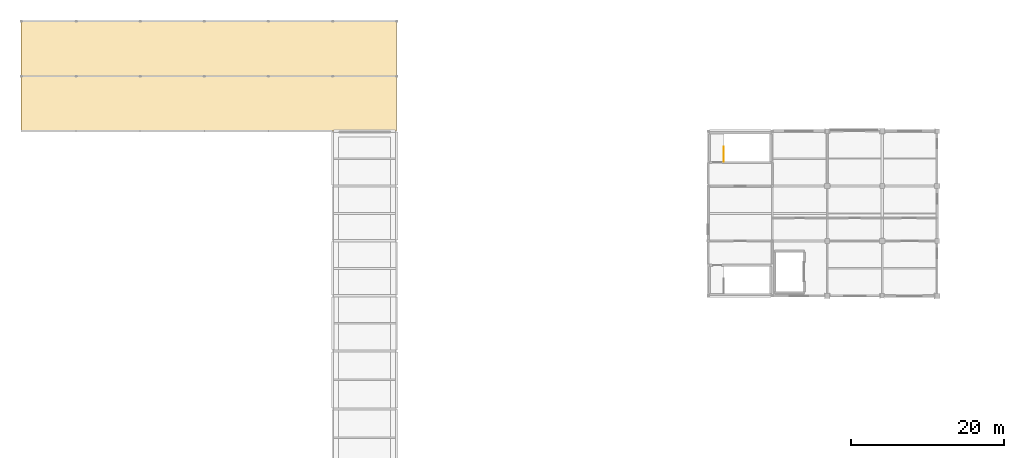
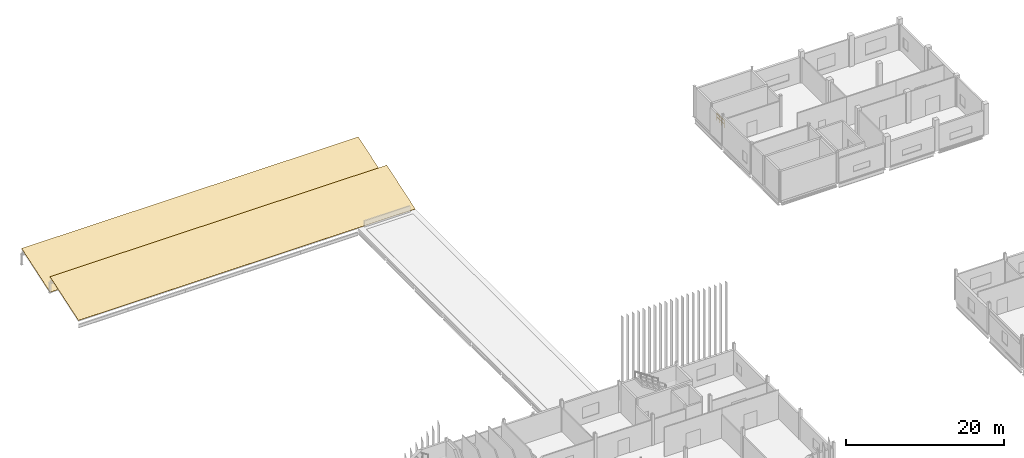
# One storey, part 70 of 72: 2 coverings, 1 railing, 2 elements without a shape of their own.
"""IFC4 building model written with IfcOpenShell, lengths in metres."""

from ifc_helpers import new_model, si_unit, direction, frame, origin, origin_2d, place, context, subcontext, project, spatial, polyline, circle, outline, extrude, material, layer, layer_set, type_object, element, aggregate, save


model = new_model("IFC4")

# Units and contexts
model_context = context("Model", 3, precision=1e-05, world=origin(), true_north=direction((0.0, 1.0)))
body_context = subcontext(model_context, "Body", "Model", "MODEL_VIEW")
ifc_project = project(units=[si_unit("LENGTHUNIT", "METRE"), si_unit("AREAUNIT", "SQUARE_METRE"), si_unit("VOLUMEUNIT", "CUBIC_METRE"), si_unit("PLANEANGLEUNIT", "RADIAN"), si_unit("MASSUNIT", "GRAM", prefix="KILO")], contexts=[model_context])

# Site, building, storey
site_placement = place(None, origin())
site = spatial("IfcSite", under=ifc_project, at=site_placement, CompositionType="ELEMENT")
building_placement = place(site_placement, origin())
building = spatial("IfcBuilding", under=site, at=building_placement, Name="Calvrana Isthmian Art Gallery", CompositionType="ELEMENT")
storey_placement = place(building_placement, frame((0.0, 0.0, 15.0)))
storey = spatial("IfcBuildingStorey", under=building, at=storey_placement, Name="L03", CompositionType="ELEMENT", Elevation=15.0)

# Roof, covering
ifc_material_1 = material(Name="Standing-seam zinc-aluminium roofing", Category="aluminium")
ifc_layer_1 = layer(ifc_material_1, 0.199951171875, Name="Standing-seam zinc-aluminium roofing")
ifc_layer_set_1 = layer_set([ifc_layer_1], Name="Standing-seam zinc-aluminium roofing")
roof_type = type_object("IfcRoofType", Name="ROOF-ASM-GABLE", PredefinedType="GABLE_ROOF", material=ifc_layer_set_1)
roof_1_placement = place(storey_placement, origin())
roof_1 = element("IfcRoof", 1, at=roof_1_placement, inside=storey, type_object=roof_type, Name="Roof assembly SROOF_V6_SAW1", PredefinedType="GABLE_ROOF")
ifc_layer_2 = layer(ifc_material_1, 0.0400390625, Name="Standing-seam zinc-aluminium roofing")
ifc_layer_set_2 = layer_set([ifc_layer_2], Name="Standing-seam zinc-aluminium roofing")
covering_type = type_object("IfcCoveringType", Name="COV-SLROOF-ZINC", PredefinedType="ROOFING", material=ifc_layer_set_2)
covering_1_placement = place(storey_placement, frame((14.39990234375, 98.39990234375, 0.0400390625), z_axis=(0.0, -0.316208465333, 0.948689731394), x_axis=(1.0, 0.0, 0.0)))
covering_1 = element("IfcCovering", 2, at=covering_1_placement, type_object=covering_type, Name="Standing-seam roof covering SROOF_V6_SAW1", PredefinedType="ROOFING", context=body_context, shape_type="SweptSolid", body=[
    extrude(outline(polyline([(0.0, 0.0), (49.2001953125, 0.0), (49.2001953125, 7.589620794063674), (0.0, 7.589620794063674), (0.0, 0.0)])), origin(), (0.0, 0.0, -1.0), 0.0400390625),
])
aggregate(roof_1, [covering_1])

roof_2_placement = place(storey_placement, origin())
roof_2 = element("IfcRoof", 3, at=roof_2_placement, inside=storey, type_object=roof_type, Name="Roof assembly SROOF_V6_SAW2", PredefinedType="GABLE_ROOF")
covering_2_placement = place(storey_placement, frame((14.39990234375, 105.60009765625, 0.0400390625), z_axis=(0.0, -0.316218115397, 0.948686514869), x_axis=(1.0, 0.0, 0.0)))
covering_2 = element("IfcCovering", 4, at=covering_2_placement, type_object=covering_type, Name="Standing-seam roof covering SROOF_V6_SAW2", PredefinedType="ROOFING", context=body_context, shape_type="SweptSolid", body=[
    extrude(outline(polyline([(0.0, 0.0), (49.2001953125, 0.0), (49.2001953125, 7.589389180752356), (0.0, 7.589389180752356), (0.0, 0.0)])), origin(), (0.0, 0.0, -1.0), 0.0400390625),
])
aggregate(roof_2, [covering_2])

# Railing
ifc_material_2 = material(Name="Stainless steel 316", Category="steel")
railing_type = type_object("IfcRailingType", Name="RL-GUARD-1120", PredefinedType="BALUSTRADE", material=ifc_material_2)
railing_placement = place(storey_placement, frame((106.449951171875, 94.429931640625, 0.0)))
element("IfcRailing", 5, at=railing_placement, inside=storey, type_object=railing_type, Name="Stair ST-8 top well guard 1", PredefinedType="BALUSTRADE", context=body_context, shape_type="SweptSolid", body=[
    extrude(circle(Radius=0.02392578125, at=origin_2d()), frame((0.0, 0.0, 1.09619140625), z_axis=(0.0, 1.0, 0.0), x_axis=(-1.0, 0.0, 0.0)), (0.0, 0.0, 1.0), 1.900146484375),
    extrude(circle(Radius=0.02392578125, at=origin_2d()), frame((0.0, 0.0, 0.56005859375), z_axis=(0.0, 1.0, 0.0), x_axis=(-1.0, 0.0, 0.0)), (0.0, 0.0, 1.0), 1.900146484375),
    extrude(circle(Radius=0.02099609375, at=origin_2d()), origin(), (0.0, 0.0, 1.0), 1.072021484375),
    extrude(circle(Radius=0.02099609375, at=origin_2d()), frame((0.0, 0.63330078125, 0.0)), (0.0, 0.0, 1.0), 1.072021484375),
    extrude(circle(Radius=0.02099609375, at=origin_2d()), frame((0.0, 1.266845703125, 0.0)), (0.0, 0.0, 1.0), 1.072021484375),
    extrude(circle(Radius=0.02099609375, at=origin_2d()), frame((0.0, 1.900146484375, 0.0)), (0.0, 0.0, 1.0), 1.072021484375),
])

save(model, "model.ifc")
